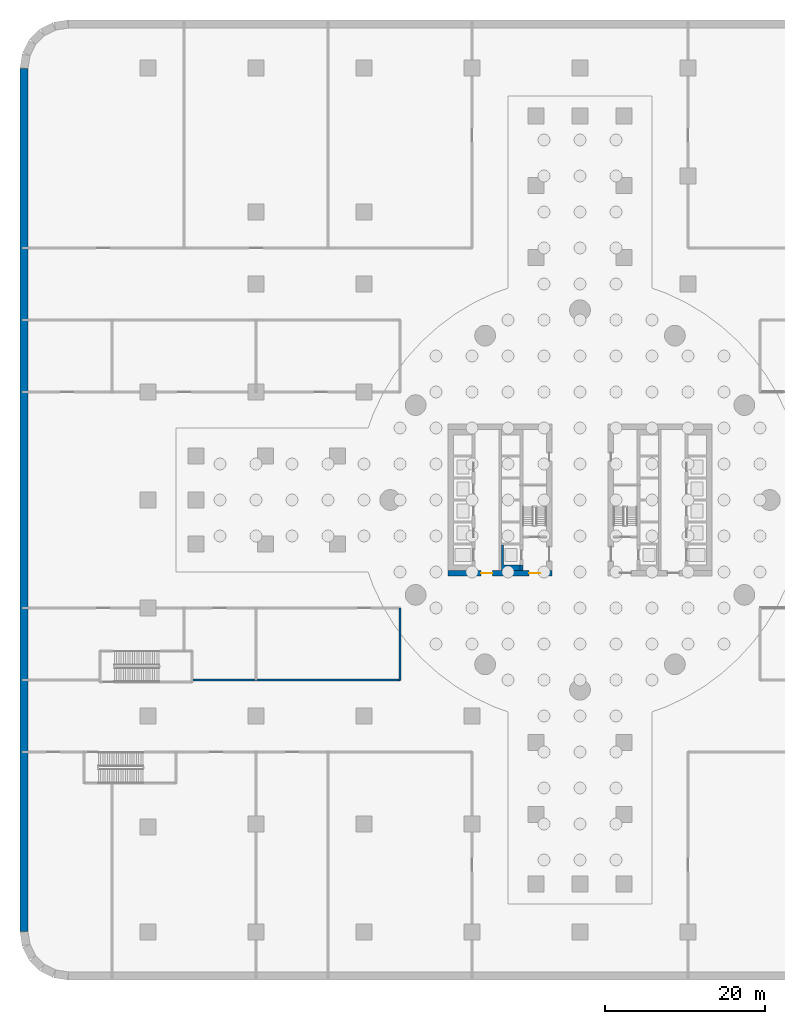
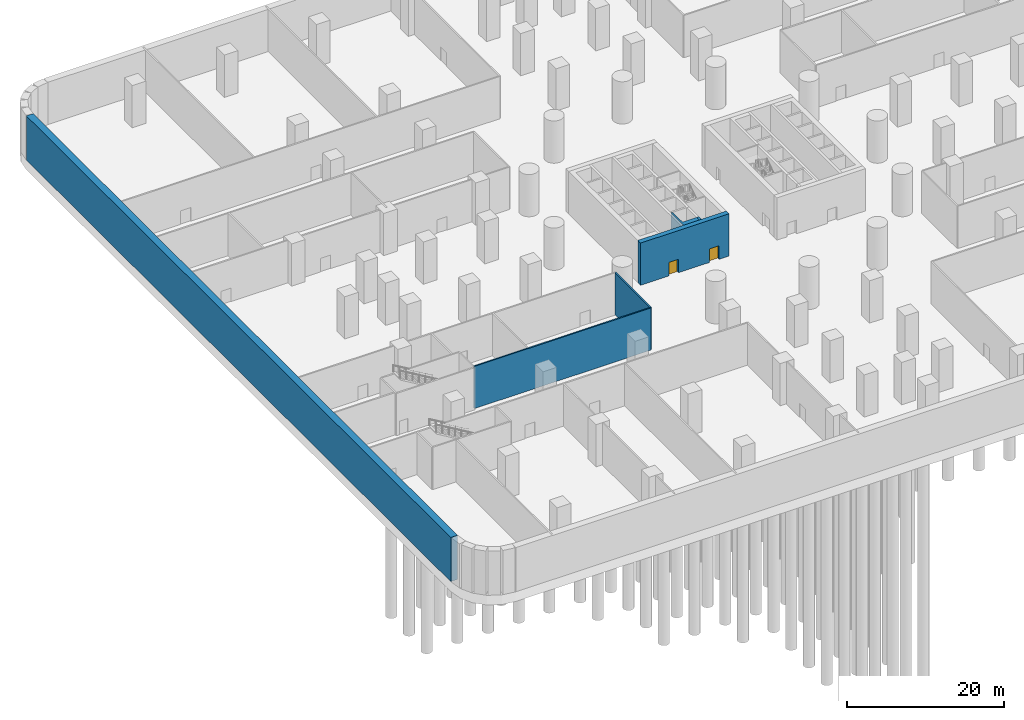
# One storey, part 4 of 13: 6 walls, 2 doors, 2 openings.
"""IFC4 building model written with IfcOpenShell, lengths in metres."""

from ifc_helpers import new_model, si_unit, direction, frame, frame_2d, origin, place, context, subcontext, project, spatial, polyline, rectangle, outline, extrude, material, layer, layer_set, type_object, element, fill, save


model = new_model("IFC4")

# Units and contexts
model_context = context("Model", 3, precision=1e-05, world=origin(), true_north=direction((0.0, 1.0)))
body_context = subcontext(model_context, "Body", "Model", "MODEL_VIEW")
ifc_project = project(units=[si_unit("LENGTHUNIT", "METRE"), si_unit("AREAUNIT", "SQUARE_METRE"), si_unit("VOLUMEUNIT", "CUBIC_METRE"), si_unit("PLANEANGLEUNIT", "RADIAN"), si_unit("MASSUNIT", "GRAM", prefix="KILO")], contexts=[model_context])

# Site, building, storey
site_placement = place(None, origin())
site = spatial("IfcSite", under=ifc_project, at=site_placement, CompositionType="ELEMENT")
building_placement = place(site_placement, origin())
building = spatial("IfcBuilding", under=site, at=building_placement, Name="Tamarind Cross Interchange Tower", CompositionType="ELEMENT")
storey_placement = place(building_placement, frame((0.0, 0.0, -21.0)))
storey = spatial("IfcBuildingStorey", under=building, at=storey_placement, Name="B3", CompositionType="ELEMENT", Elevation=-21.0)

# Wall
ifc_material_1 = material(Name="Concrete C40", Category="concrete")
ifc_layer_1 = layer(ifc_material_1, 1.0)
ifc_layer_set_1 = layer_set([ifc_layer_1], Name="Concrete C40")
wall_type_1 = type_object("IfcWallType", Name="Basement wall 1000 Concrete C40", PredefinedType="SOLIDWALL", material=ifc_layer_set_1)
wall_1_placement = place(storey_placement, frame((-69.5, -53.931396484375, -0.300048828125), z_axis=(0.0, 0.0, 1.0), x_axis=(0.0, 1.0, 0.0)))
element("IfcWall", 1, at=wall_1_placement, inside=storey, type_object=wall_type_1, Name="Basement wall B3-7", PredefinedType="SOLIDWALL", context=body_context, shape_type="SweptSolid", body=[
    extrude(rectangle(XDim=107.86279296875, YDim=1.0, at=frame_2d((53.931396484375, 0.0))), origin(), (0.0, 0.0, 1.0), 6.85009765625),
])

# Wall, openings, doors
ifc_material_2 = material(Name="Concrete C80", Category="concrete")
ifc_layer_2 = layer(ifc_material_2, 0.699951171875)
ifc_layer_set_2 = layer_set([ifc_layer_2], Name="Concrete C80")
wall_type_2 = type_object("IfcWallType", Name="Core wall 700 mm Concrete C80", PredefinedType="SHEAR", material=ifc_layer_set_2)
wall_2_placement = place(storey_placement, frame((-16.5, -9.14990234375, 0.0), z_axis=(0.0, 0.0, 1.0), x_axis=(1.0, 0.0, 0.0)))
wall_2 = element("IfcWall", 2, at=wall_2_placement, inside=storey, type_object=wall_type_2, Name="Core wall CWL-B3-W-S", PredefinedType="SHEAR", context=body_context, shape_type="SweptSolid", body=[
    extrude(rectangle(XDim=13.0, YDim=0.699951171875, at=frame_2d((6.5, 0.0))), origin(), (0.0, 0.0, 1.0), 6.550048828125),
])
opening_1_placement = place(wall_2_placement, frame((4.14990234375, 0.0, 0.0)))
opening_1 = element("IfcOpeningElement", 3, at=opening_1_placement, cuts=wall_2, Name="Opening DCW1", PredefinedType="OPENING", context=body_context, shape_type="SweptSolid", body=[
    extrude(rectangle(XDim=1.39990234375, YDim=2.10009765625, at=frame_2d((0.699951171875, 1.050048828125))), frame((0.0, 0.35986328125, 0.0), z_axis=(0.0, -1.0, 0.0), x_axis=(1.0, 0.0, 0.0)), (0.0, 0.0, 1.0), 0.719970703125),
])
opening_2_placement = place(wall_2_placement, frame((10.125, 0.0, 0.0)))
opening_2 = element("IfcOpeningElement", 4, at=opening_2_placement, cuts=wall_2, Name="Opening DCWF", PredefinedType="OPENING", context=body_context, shape_type="SweptSolid", body=[
    extrude(rectangle(XDim=1.39990234375, YDim=2.10009765625, at=frame_2d((0.699951171875, 1.050048828125))), frame((0.0, 0.35986328125, 0.0), z_axis=(0.0, -1.0, 0.0), x_axis=(1.0, 0.0, 0.0)), (0.0, 0.0, 1.0), 0.719970703125),
])
ifc_material_3 = material(Name="Steel, fire-resisting", Category="steel")
door_type = type_object("IfcDoorType", Name="Core fire door 1400 x 2100 FD90", OperationType="SINGLE_SWING_LEFT", PredefinedType="DOOR", material=ifc_material_3)
door_1_placement = place(opening_1_placement, origin())
door_1 = element("IfcDoor", 5, at=door_1_placement, inside=storey, type_object=door_type, Name="B3 lift lobby door", OperationType="SINGLE_SWING_LEFT", OverallHeight=2.10009765625, OverallWidth=1.39990234375, PredefinedType="DOOR", context=body_context, shape_type="SweptSolid", body=[
    extrude(rectangle(XDim=1.39990234375, YDim=2.10009765625, at=frame_2d((0.699951171875, 1.050048828125))), frame((0.0, 0.02490234375, 0.0), z_axis=(0.0, -1.0, 0.0), x_axis=(1.0, 0.0, 0.0)), (0.0, 0.0, 1.0), 0.050048828125),
])
fill(opening_1, door_1)
door_2_placement = place(opening_2_placement, origin())
door_2 = element("IfcDoor", 6, at=door_2_placement, inside=storey, type_object=door_type, Name="B3 firefighting lobby end door", OperationType="SINGLE_SWING_LEFT", OverallHeight=2.10009765625, OverallWidth=1.39990234375, PredefinedType="DOOR", context=body_context, shape_type="SweptSolid", body=[
    extrude(rectangle(XDim=1.39990234375, YDim=2.10009765625, at=frame_2d((0.699951171875, 1.050048828125))), frame((0.0, 0.02490234375, 0.0), z_axis=(0.0, -1.0, 0.0), x_axis=(1.0, 0.0, 0.0)), (0.0, 0.0, 1.0), 0.050048828125),
])
fill(opening_2, door_2)

# Walls
ifc_layer_3 = layer(ifc_material_2, 0.35009765625)
ifc_layer_set_3 = layer_set([ifc_layer_3], Name="Concrete C80")
wall_type_3 = type_object("IfcWallType", Name="Core web wall 350 mm Concrete C80", PredefinedType="SHEAR", material=ifc_layer_set_3)
wall_3_placement = place(storey_placement, origin())
element("IfcWall", 7, at=wall_3_placement, inside=storey, type_object=wall_type_3, Name="Core wall CWL-B3-W-BS", PredefinedType="SHEAR", context=body_context, shape_type="SweptSolid", body=[
    extrude(outline(polyline([(-7.5, -8.125), (-9.550048828125, -8.125), (-9.550048828125, -5.625), (-9.800048828125, -5.625), (-9.800048828125, -8.125), (-9.800048828125, -8.800048828125), (-7.5, -8.800048828125), (-7.5, -8.125)])), origin(), (0.0, 0.0, 1.0), 6.550048828125),
])
wall_4_placement = place(storey_placement, frame((-7.324951171875, -8.800048828125, 0.0), z_axis=(0.0, 0.0, 1.0), x_axis=(0.0, 1.0, 0.0)))
element("IfcWall", 8, at=wall_4_placement, inside=storey, type_object=wall_type_3, Name="Core wall CWL-B3-W-BW", PredefinedType="SHEAR", context=body_context, shape_type="SweptSolid", body=[
    extrude(rectangle(XDim=0.675048828125, YDim=0.35009765625, at=frame_2d((0.33740234375, 0.0))), origin(), (0.0, 0.0, 1.0), 6.550048828125),
])
ifc_material_4 = material(Name="Masonry partition, fire-rated", Category="masonry")
ifc_layer_4 = layer(ifc_material_4, 0.199951171875)
ifc_layer_set_4 = layer_set([ifc_layer_4], Name="Masonry partition, fire-rated")
wall_type_4 = type_object("IfcWallType", Name="Fire partition 200 EI 120", PredefinedType="PARTITIONING", material=ifc_layer_set_4)
wall_5_placement = place(storey_placement, frame((-48.469970703125, -22.5, 0.0), z_axis=(0.0, 0.0, 1.0), x_axis=(1.0, 0.0, 0.0)))
element("IfcWall", 9, at=wall_5_placement, inside=storey, type_object=wall_type_4, Name="B3 partition 20", PredefinedType="PARTITIONING", context=body_context, shape_type="SweptSolid", body=[
    extrude(rectangle(XDim=25.969970703125, YDim=0.199951171875, at=frame_2d((12.98486328125, 0.0))), origin(), (0.0, 0.0, 1.0), 6.550048828125),
])
wall_6_placement = place(storey_placement, frame((-22.5, -22.5, 0.0), z_axis=(0.0, 0.0, 1.0), x_axis=(0.0, 1.0, 0.0)))
element("IfcWall", 10, at=wall_6_placement, inside=storey, type_object=wall_type_4, Name="B3 partition 22", PredefinedType="PARTITIONING", context=body_context, shape_type="SweptSolid", body=[
    extrude(rectangle(XDim=9.0, YDim=0.199951171875, at=frame_2d((4.5, 0.0))), origin(), (0.0, 0.0, 1.0), 6.550048828125),
])

save(model, "model.ifc")
